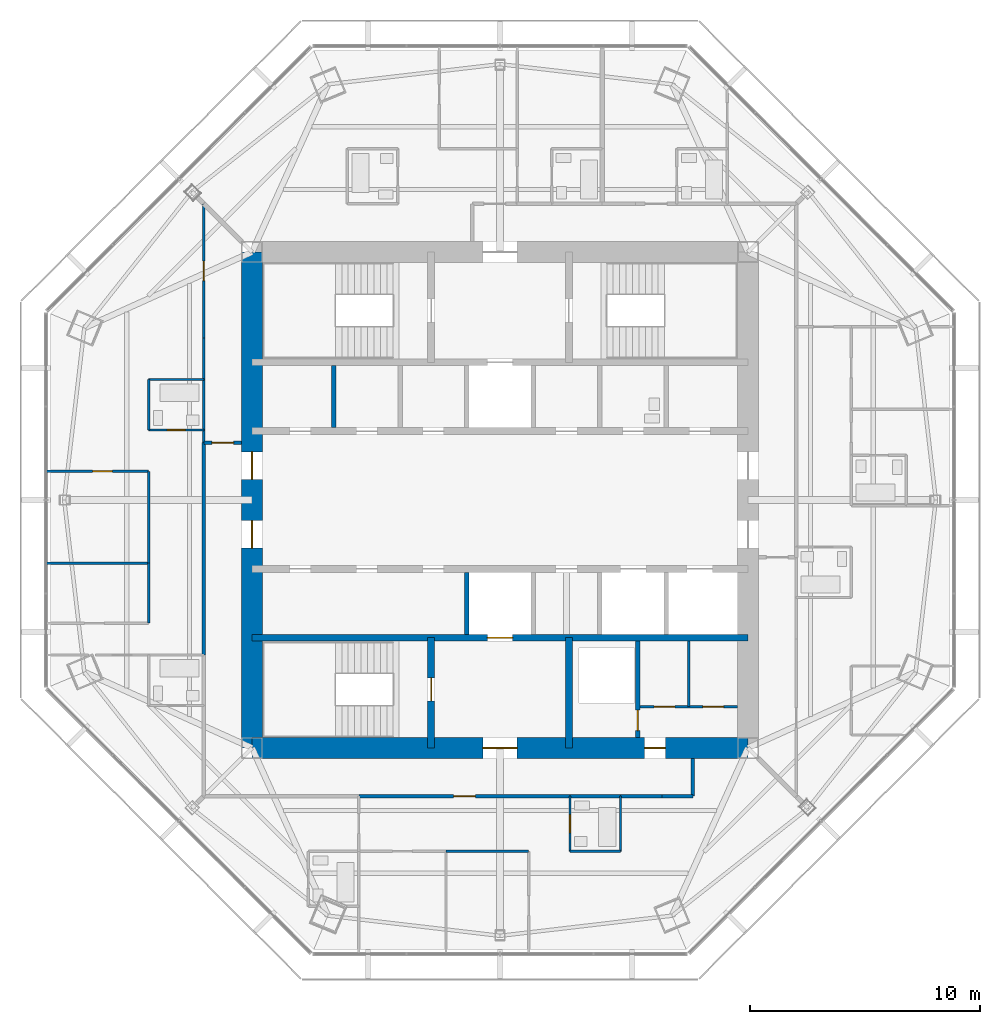
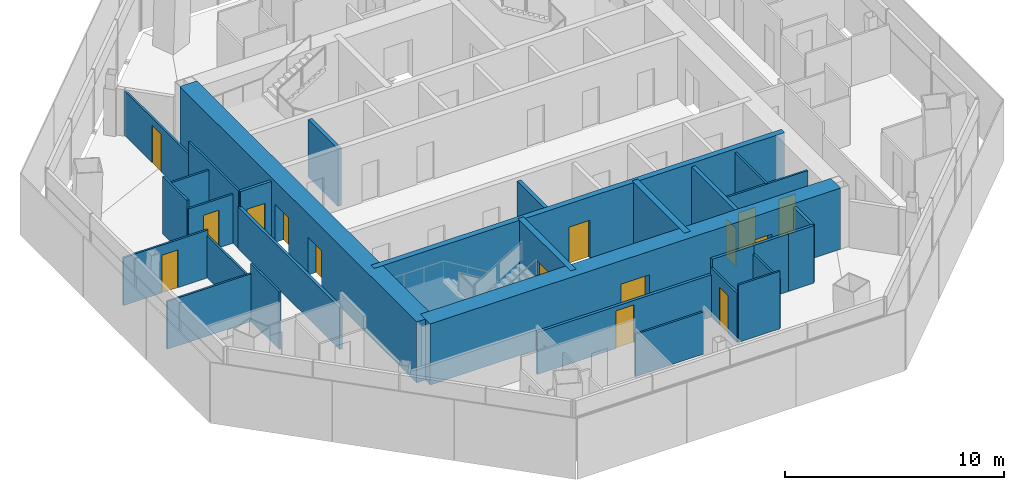
# One storey, part 9 of 15: 30 walls, 15 doors, 15 openings.
"""IFC4 building model written with IfcOpenShell, lengths in metres."""

from ifc_helpers import new_model, si_unit, direction, frame, frame_2d, origin, place, context, subcontext, project, spatial, rectangle, extrude, material, layer, layer_set, type_object, element, fill, save


model = new_model("IFC4")

# Units and contexts
model_context = context("Model", 3, precision=1e-05, world=origin(), true_north=direction((0.0, 1.0)))
body_context = subcontext(model_context, "Body", "Model", "MODEL_VIEW")
ifc_project = project(units=[si_unit("LENGTHUNIT", "METRE"), si_unit("AREAUNIT", "SQUARE_METRE"), si_unit("VOLUMEUNIT", "CUBIC_METRE"), si_unit("PLANEANGLEUNIT", "RADIAN"), si_unit("MASSUNIT", "GRAM", prefix="KILO")], contexts=[model_context])

# Site, building, storey
site_placement = place(None, origin())
site = spatial("IfcSite", under=ifc_project, at=site_placement, CompositionType="ELEMENT")
building_placement = place(site_placement, origin())
building = spatial("IfcBuilding", under=site, at=building_placement, Name="Mashrafa Tower", CompositionType="ELEMENT")
storey_placement = place(building_placement, frame((0.0, 0.0, 291.199951171875)))
storey = spatial("IfcBuildingStorey", under=building, at=storey_placement, Name="L71", CompositionType="ELEMENT", Elevation=291.199951171875)

# Wall, opening, door
ifc_material_1 = material(Name="Concrete masonry unit", Category="masonry")
ifc_layer_1 = layer(ifc_material_1, 0.199951171875)
ifc_layer_set_1 = layer_set([ifc_layer_1], Name="Blockwork wall 200 2 hr")
wall_type_1 = type_object("IfcWallType", Name="Blockwork wall 200 2 hr", PredefinedType="PARTITIONING", material=ifc_layer_set_1)
wall_1_placement = place(storey_placement, frame((6.0, -10.35009765625, 0.0), z_axis=(0.0, 0.0, 1.0), x_axis=(0.0, 1.0, 0.0)))
wall_1 = element("IfcWall", 1, at=wall_1_placement, inside=storey, type_object=wall_type_1, Name="Riser enclosure wall L71", PredefinedType="PARTITIONING", context=body_context, shape_type="SweptSolid", body=[
    extrude(rectangle(XDim=4.2001953125, YDim=0.199951171875, at=frame_2d((2.10009765625, 0.0))), origin(), (0.0, 0.0, 1.0), 3.199951171875),
])
opening_1_placement = place(wall_1_placement, frame((0.300048828125, 0.0, 0.0)))
opening_1 = element("IfcOpeningElement", 2, at=opening_1_placement, cuts=wall_1, Name="Opening 71.040", PredefinedType="OPENING", context=body_context, shape_type="SweptSolid", body=[
    extrude(rectangle(XDim=0.89990234375, YDim=2.10009765625, at=frame_2d((0.449951171875, 1.050048828125))), frame((0.0, 0.10986328125, 0.0), z_axis=(0.0, -1.0, 0.0), x_axis=(1.0, 0.0, 0.0)), (0.0, 0.0, 1.0), 0.219970703125),
])
ifc_material_2 = material(Name="Steel door", Category="steel")
door_type_1 = type_object("IfcDoorType", Name="Service door 900 x 2100 90 min", OperationType="USERDEFINED", PredefinedType="DOOR", material=ifc_material_2)
door_1_placement = place(opening_1_placement, origin())
door_1 = element("IfcDoor", 3, at=door_1_placement, inside=storey, type_object=door_type_1, Name="Riser door L71", OperationType="SINGLE_SWING_LEFT", OverallHeight=2.10009765625, OverallWidth=0.89990234375, PredefinedType="DOOR", context=body_context, shape_type="SweptSolid", body=[
    extrude(rectangle(XDim=0.89990234375, YDim=2.10009765625, at=frame_2d((0.449951171875, 1.050048828125))), frame((0.0, 0.02490234375, 0.0), z_axis=(0.0, -1.0, 0.0), x_axis=(1.0, 0.0, 0.0)), (0.0, 0.0, 1.0), 0.050048828125),
])
fill(opening_1, door_1)

ifc_material_3 = material(Name="Concrete C50/60", Category="concrete")
ifc_layer_2 = layer(ifc_material_3, 0.300048828125)
ifc_layer_set_2 = layer_set([ifc_layer_2], Name="Core wall 300 C50/60")
wall_type_2 = type_object("IfcWallType", Name="Core wall 300 C50/60", PredefinedType="SOLIDWALL", material=ifc_layer_set_2)
wall_2_placement = place(storey_placement, frame((-10.800048828125, -6.0, 0.0), z_axis=(0.0, 0.0, 1.0), x_axis=(1.0, 0.0, 0.0)))
wall_2 = element("IfcWall", 4, at=wall_2_placement, inside=storey, type_object=wall_type_2, Name="Core wall CB-S L71", PredefinedType="SOLIDWALL", context=body_context, shape_type="SweptSolid", body=[
    extrude(rectangle(XDim=21.60009765625, YDim=0.300048828125, at=frame_2d((10.800048828125, 0.0))), origin(), (0.0, 0.0, 1.0), 3.400146484375),
])
opening_2_placement = place(wall_2_placement, frame((10.25, 0.0, 0.0)))
opening_2 = element("IfcOpeningElement", 5, at=opening_2_placement, cuts=wall_2, Name="Opening 71.F2", PredefinedType="OPENING", context=body_context, shape_type="SweptSolid", body=[
    extrude(rectangle(XDim=1.10009765625, YDim=2.10009765625, at=frame_2d((0.550048828125, 1.050048828125))), frame((0.0, 0.159912109375, 0.0), z_axis=(0.0, -1.0, 0.0), x_axis=(1.0, 0.0, 0.0)), (0.0, 0.0, 1.0), 0.320068359375),
])
ifc_material_4 = material(Name="Steel door", Category="steel")
door_type_2 = type_object("IfcDoorType", Name="Lift landing door 1100 x 2100 90 min", OperationType="DOUBLE_DOOR_SLIDING", PredefinedType="DOOR", material=ifc_material_4)
door_2_placement = place(opening_2_placement, origin())
door_2 = element("IfcDoor", 6, at=door_2_placement, inside=storey, type_object=door_type_2, Name="Lift landing door F2 L71", OperationType="DOUBLE_DOOR_SLIDING", OverallHeight=2.10009765625, OverallWidth=1.10009765625, PredefinedType="DOOR", context=body_context, shape_type="SweptSolid", body=[
    extrude(rectangle(XDim=1.10009765625, YDim=2.10009765625, at=frame_2d((0.550048828125, 1.050048828125))), frame((0.0, 0.02490234375, 0.0), z_axis=(0.0, -1.0, 0.0), x_axis=(1.0, 0.0, 0.0)), (0.0, 0.0, 1.0), 0.050048828125),
])
fill(opening_2, door_2)

wall_3_placement = place(storey_placement, frame((-3.0, -6.0, 0.0), z_axis=(0.0, 0.0, 1.0), x_axis=(0.0, -1.0, 0.0)))
wall_3 = element("IfcWall", 7, at=wall_3_placement, inside=storey, type_object=wall_type_2, Name="Core wall CX-SW L71", PredefinedType="SOLIDWALL", context=body_context, shape_type="SweptSolid", body=[
    extrude(rectangle(XDim=4.800048828125, YDim=0.300048828125, at=frame_2d((2.39990234375, 0.0))), origin(), (0.0, 0.0, 1.0), 3.400146484375),
])
opening_3_placement = place(wall_3_placement, frame((1.75, 0.0, 0.0)))
opening_3 = element("IfcOpeningElement", 8, at=opening_3_placement, cuts=wall_3, Name="Opening 71.038", PredefinedType="OPENING", context=body_context, shape_type="SweptSolid", body=[
    extrude(rectangle(XDim=1.0, YDim=2.10009765625, at=frame_2d((0.5, 1.050048828125))), frame((0.0, 0.159912109375, 0.0), z_axis=(0.0, -1.0, 0.0), x_axis=(1.0, 0.0, 0.0)), (0.0, 0.0, 1.0), 0.320068359375),
])
ifc_material_5 = material(Name="Steel door", Category="steel")
door_type_3 = type_object("IfcDoorType", Name="Stair door 1000 x 2100 90 min", OperationType="USERDEFINED", PredefinedType="DOOR", material=ifc_material_5)
door_3_placement = place(opening_3_placement, frame((1.0, 0.0, 0.0), z_axis=(0.0, 0.0, 1.0), x_axis=(-1.0, 0.0, 0.0)))
door_3 = element("IfcDoor", 9, at=door_3_placement, inside=storey, type_object=door_type_3, Name="Stair S3 door L71", OperationType="SINGLE_SWING_RIGHT", OverallHeight=2.10009765625, OverallWidth=1.0, PredefinedType="DOOR", context=body_context, shape_type="SweptSolid", body=[
    extrude(rectangle(XDim=1.0, YDim=2.10009765625, at=frame_2d((0.5, 1.050048828125))), frame((0.0, 0.02490234375, 0.0), z_axis=(0.0, -1.0, 0.0), x_axis=(1.0, 0.0, 0.0)), (0.0, 0.0, 1.0), 0.050048828125),
])
fill(opening_3, door_3)

# Wall
wall_4_placement = place(storey_placement, frame((3.0, -6.0, 0.0), z_axis=(0.0, 0.0, 1.0), x_axis=(0.0, -1.0, 0.0)))
element("IfcWall", 10, at=wall_4_placement, inside=storey, type_object=wall_type_2, Name="Core wall CX-SE L71", PredefinedType="SOLIDWALL", context=body_context, shape_type="SweptSolid", body=[
    extrude(rectangle(XDim=4.800048828125, YDim=0.300048828125, at=frame_2d((2.39990234375, 0.0))), origin(), (0.0, 0.0, 1.0), 3.400146484375),
])

# Wall, openings, doors
ifc_material_6 = material(Name="Concrete C50/60", Category="concrete")
ifc_layer_3 = layer(ifc_material_6, 0.89990234375)
ifc_layer_set_3 = layer_set([ifc_layer_3], Name="Core wall 900 C50/60")
wall_type_3 = type_object("IfcWallType", Name="Core wall 900 C50/60", PredefinedType="SOLIDWALL", material=ifc_layer_set_3)
wall_5_placement = place(storey_placement, frame((-10.800048828125, -10.800048828125, 0.0), z_axis=(0.0, 0.0, 1.0), x_axis=(1.0, 0.0, 0.0)))
wall_5 = element("IfcWall", 11, at=wall_5_placement, inside=storey, type_object=wall_type_3, Name="Core wall CW-S L71", PredefinedType="SOLIDWALL", context=body_context, shape_type="SweptSolid", body=[
    extrude(rectangle(XDim=21.60009765625, YDim=0.89990234375, at=frame_2d((10.800048828125, 0.0))), origin(), (0.0, 0.0, 1.0), 3.400146484375),
])
opening_4_placement = place(wall_5_placement, frame((10.050048828125, 0.0, 0.0)))
opening_4 = element("IfcOpeningElement", 12, at=opening_4_placement, cuts=wall_5, Name="Opening 71.035", PredefinedType="OPENING", context=body_context, shape_type="SweptSolid", body=[
    extrude(rectangle(XDim=1.5, YDim=2.10009765625, at=frame_2d((0.75, 1.050048828125))), frame((0.0, 0.4599609375, 0.0), z_axis=(0.0, -1.0, 0.0), x_axis=(1.0, 0.0, 0.0)), (0.0, 0.0, 1.0), 0.919921875),
])
opening_5_placement = place(wall_5_placement, frame((17.10009765625, 0.0, 0.0)))
opening_5 = element("IfcOpeningElement", 13, at=opening_5_placement, cuts=wall_5, Name="Opening 71.039", PredefinedType="OPENING", context=body_context, shape_type="SweptSolid", body=[
    extrude(rectangle(XDim=0.89990234375, YDim=2.10009765625, at=frame_2d((0.449951171875, 1.050048828125))), frame((0.0, 0.4599609375, 0.0), z_axis=(0.0, -1.0, 0.0), x_axis=(1.0, 0.0, 0.0)), (0.0, 0.0, 1.0), 0.919921875),
])
ifc_material_7 = material(Name="Steel door", Category="steel")
door_type_4 = type_object("IfcDoorType", Name="Lobby door pair 1500 x 2100 90 min", OperationType="DOUBLE_DOOR_SINGLE_SWING", PredefinedType="DOOR", material=ifc_material_7)
door_4_placement = place(opening_4_placement, origin())
door_4 = element("IfcDoor", 14, at=door_4_placement, inside=storey, type_object=door_type_4, Name="Fire-fighting lobby F2 door L71", OperationType="DOUBLE_DOOR_SINGLE_SWING", OverallHeight=2.10009765625, OverallWidth=1.5, PredefinedType="DOOR", context=body_context, shape_type="SweptSolid", body=[
    extrude(rectangle(XDim=1.5, YDim=2.10009765625, at=frame_2d((0.75, 1.050048828125))), frame((0.0, 0.02490234375, 0.0), z_axis=(0.0, -1.0, 0.0), x_axis=(1.0, 0.0, 0.0)), (0.0, 0.0, 1.0), 0.050048828125),
])
fill(opening_4, door_4)
door_5_placement = place(opening_5_placement, frame((0.89990234375, 0.0, 0.0), z_axis=(0.0, 0.0, 1.0), x_axis=(-1.0, 0.0, 0.0)))
door_5 = element("IfcDoor", 15, at=door_5_placement, inside=storey, type_object=door_type_1, Name="Services Lobby L71 door", OperationType="SINGLE_SWING_LEFT", OverallHeight=2.10009765625, OverallWidth=0.89990234375, PredefinedType="DOOR", context=body_context, shape_type="SweptSolid", body=[
    extrude(rectangle(XDim=0.89990234375, YDim=2.10009765625, at=frame_2d((0.449951171875, 1.050048828125))), frame((0.0, 0.02490234375, 0.0), z_axis=(0.0, -1.0, 0.0), x_axis=(1.0, 0.0, 0.0)), (0.0, 0.0, 1.0), 0.050048828125),
])
fill(opening_5, door_5)

wall_6_placement = place(storey_placement, frame((-10.800048828125, 10.800048828125, 0.0), z_axis=(0.0, 0.0, 1.0), x_axis=(0.0, -1.0, 0.0)))
wall_6 = element("IfcWall", 16, at=wall_6_placement, inside=storey, type_object=wall_type_3, Name="Core wall CW-W L71", PredefinedType="SOLIDWALL", context=body_context, shape_type="SweptSolid", body=[
    extrude(rectangle(XDim=21.60009765625, YDim=0.89990234375, at=frame_2d((10.800048828125, 0.0))), origin(), (0.0, 0.0, 1.0), 3.400146484375),
])
opening_6_placement = place(wall_6_placement, frame((8.699951171875, 0.0, 0.0)))
opening_6 = element("IfcOpeningElement", 17, at=opening_6_placement, cuts=wall_6, Name="Opening 71.031", PredefinedType="OPENING", context=body_context, shape_type="SweptSolid", body=[
    extrude(rectangle(XDim=1.199951171875, YDim=2.10009765625, at=frame_2d((0.60009765625, 1.050048828125))), frame((0.0, 0.4599609375, 0.0), z_axis=(0.0, -1.0, 0.0), x_axis=(1.0, 0.0, 0.0)), (0.0, 0.0, 1.0), 0.919921875),
])
opening_7_placement = place(wall_6_placement, frame((11.699951171875, 0.0, 0.0)))
opening_7 = element("IfcOpeningElement", 18, at=opening_7_placement, cuts=wall_6, Name="Opening 71.033", PredefinedType="OPENING", context=body_context, shape_type="SweptSolid", body=[
    extrude(rectangle(XDim=1.199951171875, YDim=2.10009765625, at=frame_2d((0.60009765625, 1.050048828125))), frame((0.0, 0.4599609375, 0.0), z_axis=(0.0, -1.0, 0.0), x_axis=(1.0, 0.0, 0.0)), (0.0, 0.0, 1.0), 0.919921875),
])
ifc_material_8 = material(Name="Steel door", Category="steel")
door_type_5 = type_object("IfcDoorType", Name="Lift hall door 1200 x 2100 90 min", OperationType="USERDEFINED", PredefinedType="DOOR", material=ifc_material_8)
door_6_placement = place(opening_6_placement, origin())
door_6 = element("IfcDoor", 19, at=door_6_placement, inside=storey, type_object=door_type_5, Name="Lift hall door west L71", OperationType="SINGLE_SWING_LEFT", OverallHeight=2.10009765625, OverallWidth=1.199951171875, PredefinedType="DOOR", context=body_context, shape_type="SweptSolid", body=[
    extrude(rectangle(XDim=1.199951171875, YDim=2.10009765625, at=frame_2d((0.60009765625, 1.050048828125))), frame((0.0, 0.02490234375, 0.0), z_axis=(0.0, -1.0, 0.0), x_axis=(1.0, 0.0, 0.0)), (0.0, 0.0, 1.0), 0.050048828125),
])
fill(opening_6, door_6)
door_7_placement = place(opening_7_placement, frame((1.199951171875, 0.0, 0.0), z_axis=(0.0, 0.0, 1.0), x_axis=(-1.0, 0.0, 0.0)))
door_7 = element("IfcDoor", 20, at=door_7_placement, inside=storey, type_object=door_type_5, Name="Lift hall door west L71", OperationType="SINGLE_SWING_RIGHT", OverallHeight=2.10009765625, OverallWidth=1.199951171875, PredefinedType="DOOR", context=body_context, shape_type="SweptSolid", body=[
    extrude(rectangle(XDim=1.199951171875, YDim=2.10009765625, at=frame_2d((0.60009765625, 1.050048828125))), frame((0.0, 0.02490234375, 0.0), z_axis=(0.0, -1.0, 0.0), x_axis=(1.0, 0.0, 0.0)), (0.0, 0.0, 1.0), 0.050048828125),
])
fill(opening_7, door_7)

# Walls
ifc_material_9 = material(Name="Gypsum board on steel studs", Category="steel")
ifc_layer_4 = layer(ifc_material_9, 0.14990234375)
ifc_layer_set_4 = layer_set([ifc_layer_4], Name="Corridor partition 150 1 hr")
wall_type_4 = type_object("IfcWallType", Name="Corridor partition 150 1 hr", PredefinedType="PARTITIONING", material=ifc_layer_set_4)
wall_7_placement = place(storey_placement, frame((-12.89990234375, 2.5, 0.0), z_axis=(0.0, 0.0, 1.0), x_axis=(0.0, -1.0, 0.0)))
element("IfcWall", 21, at=wall_7_placement, inside=storey, type_object=wall_type_4, Name="Corridor wall L71-015", PredefinedType="PARTITIONING", context=body_context, shape_type="SweptSolid", body=[
    extrude(rectangle(XDim=9.2509765625, YDim=0.14990234375, at=frame_2d((4.62548828125, 0.0))), origin(), (0.0, 0.0, 1.0), 2.349365234375),
])
wall_8_placement = place(storey_placement, frame((5.2490234375, -12.89990234375, 0.0), z_axis=(0.0, 0.0, 1.0), x_axis=(1.0, 0.0, 0.0)))
element("IfcWall", 22, at=wall_8_placement, inside=storey, type_object=wall_type_4, Name="Corridor wall L71-016", PredefinedType="PARTITIONING", context=body_context, shape_type="SweptSolid", body=[
    extrude(rectangle(XDim=1.802001953125, YDim=0.14990234375, at=frame_2d((0.90087890625, 0.0))), origin(), (0.0, 0.0, 1.0), 3.199951171875),
])
wall_9_placement = place(storey_placement, frame((3.049072265625, -12.89990234375, 0.0), z_axis=(0.0, 0.0, 1.0), x_axis=(1.0, 0.0, 0.0)))
element("IfcWall", 23, at=wall_9_placement, inside=storey, type_object=wall_type_4, Name="Corridor wall L71-017", PredefinedType="PARTITIONING", context=body_context, shape_type="SweptSolid", body=[
    extrude(rectangle(XDim=2.201904296875, YDim=0.14990234375, at=frame_2d((1.10107421875, 0.0))), origin(), (0.0, 0.0, 1.0), 3.199951171875),
])

# Wall, opening, door
wall_10_placement = place(storey_placement, frame((-6.15087890625, -12.89990234375, 0.0), z_axis=(0.0, 0.0, 1.0), x_axis=(1.0, 0.0, 0.0)))
wall_10 = element("IfcWall", 24, at=wall_10_placement, inside=storey, type_object=wall_type_4, Name="Corridor wall L71-019", PredefinedType="PARTITIONING", context=body_context, shape_type="SweptSolid", body=[
    extrude(rectangle(XDim=9.201904296875, YDim=0.14990234375, at=frame_2d((4.60107421875, 0.0))), origin(), (0.0, 0.0, 1.0), 2.349365234375),
])
opening_8_placement = place(wall_10_placement, frame((4.1259765625, 0.0, 0.0)))
opening_8 = element("IfcOpeningElement", 25, at=opening_8_placement, cuts=wall_10, Name="Opening 71.027", PredefinedType="OPENING", context=body_context, shape_type="SweptSolid", body=[
    extrude(rectangle(XDim=0.949951171875, YDim=2.10009765625, at=frame_2d((0.47509765625, 1.050048828125))), frame((0.0, 0.0849609375, 0.0), z_axis=(0.0, -1.0, 0.0), x_axis=(1.0, 0.0, 0.0)), (0.0, 0.0, 1.0), 0.169921875),
])
ifc_material_10 = material(Name="Steel door", Category="steel")
door_type_6 = type_object("IfcDoorType", Name="Residence entrance door 950 x 2100 20 min", OperationType="USERDEFINED", PredefinedType="DOOR", material=ifc_material_10)
door_8_placement = place(opening_8_placement, frame((0.949951171875, 0.0, 0.0), z_axis=(0.0, 0.0, 1.0), x_axis=(-1.0, 0.0, 0.0)))
door_8 = element("IfcDoor", 26, at=door_8_placement, inside=storey, type_object=door_type_6, Name="Apartment 7105 Living Room door", OperationType="SINGLE_SWING_RIGHT", OverallHeight=2.10009765625, OverallWidth=0.949951171875, PredefinedType="DOOR", context=body_context, shape_type="SweptSolid", body=[
    extrude(rectangle(XDim=0.949951171875, YDim=2.10009765625, at=frame_2d((0.47509765625, 1.050048828125))), frame((0.0, 0.02490234375, 0.0), z_axis=(0.0, -1.0, 0.0), x_axis=(1.0, 0.0, 0.0)), (0.0, 0.0, 1.0), 0.050048828125),
])
fill(opening_8, door_8)

# Walls
wall_11_placement = place(storey_placement, frame((7.049072265625, -12.89990234375, 0.0), z_axis=(0.0, 0.0, 1.0), x_axis=(1.0, 0.0, 0.0)))
element("IfcWall", 27, at=wall_11_placement, inside=storey, type_object=wall_type_4, Name="Corridor wall L71-020", PredefinedType="PARTITIONING", context=body_context, shape_type="SweptSolid", body=[
    extrude(rectangle(XDim=1.350830078125, YDim=0.14990234375, at=frame_2d((0.67529296875, 0.0))), origin(), (0.0, 0.0, 1.0), 3.199951171875),
])
wall_12_placement = place(storey_placement, frame((8.39990234375, -12.89990234375, 0.0), z_axis=(0.0, 0.0, 1.0), x_axis=(0.0, 1.0, 0.0)))
element("IfcWall", 28, at=wall_12_placement, inside=storey, type_object=wall_type_4, Name="Corridor wall L71-021", PredefinedType="PARTITIONING", context=body_context, shape_type="SweptSolid", body=[
    extrude(rectangle(XDim=1.64990234375, YDim=0.14990234375, at=frame_2d((0.824951171875, 0.0))), origin(), (0.0, 0.0, 1.0), 3.199951171875),
])

# Wall, opening, door
wall_13_placement = place(storey_placement, frame((-11.25, 2.5, 0.0), z_axis=(0.0, 0.0, 1.0), x_axis=(-1.0, 0.0, 0.0)))
wall_13 = element("IfcWall", 29, at=wall_13_placement, inside=storey, type_object=wall_type_4, Name="Corridor wall L71-022", PredefinedType="PARTITIONING", context=body_context, shape_type="SweptSolid", body=[
    extrude(rectangle(XDim=1.64990234375, YDim=0.14990234375, at=frame_2d((0.824951171875, 0.0))), origin(), (0.0, 0.0, 1.0), 3.199951171875),
])
opening_9_placement = place(wall_13_placement, frame((0.35009765625, 0.0, 0.0)))
opening_9 = element("IfcOpeningElement", 30, at=opening_9_placement, cuts=wall_13, Name="Opening 71.029", PredefinedType="OPENING", context=body_context, shape_type="SweptSolid", body=[
    extrude(rectangle(XDim=0.949951171875, YDim=2.10009765625, at=frame_2d((0.47509765625, 1.050048828125))), frame((0.0, 0.0849609375, 0.0), z_axis=(0.0, -1.0, 0.0), x_axis=(1.0, 0.0, 0.0)), (0.0, 0.0, 1.0), 0.169921875),
])
door_9_placement = place(opening_9_placement, origin())
door_9 = element("IfcDoor", 31, at=door_9_placement, inside=storey, type_object=door_type_6, Name="Apartment 7104 Entrance Hall door", OperationType="SINGLE_SWING_RIGHT", OverallHeight=2.10009765625, OverallWidth=0.949951171875, PredefinedType="DOOR", context=body_context, shape_type="SweptSolid", body=[
    extrude(rectangle(XDim=0.949951171875, YDim=2.10009765625, at=frame_2d((0.47509765625, 1.050048828125))), frame((0.0, 0.02490234375, 0.0), z_axis=(0.0, -1.0, 0.0), x_axis=(1.0, 0.0, 0.0)), (0.0, 0.0, 1.0), 0.050048828125),
])
fill(opening_9, door_9)

# Walls
ifc_material_11 = material(Name="Gypsum board on steel studs", Category="steel")
ifc_layer_5 = layer(ifc_material_11, 0.10009765625)
ifc_layer_set_5 = layer_set([ifc_layer_5], Name="Partition 100")
wall_type_5 = type_object("IfcWallType", Name="Partition 100", PredefinedType="PARTITIONING", material=ifc_layer_set_5)
wall_14_placement = place(storey_placement, frame((-15.300048828125, -2.75, 0.0), z_axis=(0.0, 0.0, 1.0), x_axis=(-1.0, 0.0, 0.0)))
element("IfcWall", 32, at=wall_14_placement, inside=storey, type_object=wall_type_5, Name="Partition wall L71-027", PredefinedType="PARTITIONING", context=body_context, shape_type="SweptSolid", body=[
    extrude(rectangle(XDim=4.458984375, YDim=0.10009765625, at=frame_2d((2.2294921875, 0.0))), origin(), (0.0, 0.0, 1.0), 2.661865234375),
])
wall_15_placement = place(storey_placement, frame((-15.300048828125, -5.367431640625, 0.0), z_axis=(0.0, 0.0, 1.0), x_axis=(0.0, 1.0, 0.0)))
element("IfcWall", 33, at=wall_15_placement, inside=storey, type_object=wall_type_5, Name="Partition wall L71-029", PredefinedType="PARTITIONING", context=body_context, shape_type="SweptSolid", body=[
    extrude(rectangle(XDim=2.617431640625, YDim=0.10009765625, at=frame_2d((1.30859375, 0.0))), origin(), (0.0, 0.0, 1.0), 3.199951171875),
])
wall_16_placement = place(storey_placement, frame((-15.300048828125, 5.25, 0.0), z_axis=(0.0, 0.0, 1.0), x_axis=(1.0, 0.0, 0.0)))
element("IfcWall", 34, at=wall_16_placement, inside=storey, type_object=wall_type_5, Name="Partition wall L71-067", PredefinedType="PARTITIONING", context=body_context, shape_type="SweptSolid", body=[
    extrude(rectangle(XDim=2.400146484375, YDim=0.10009765625, at=frame_2d((1.2001953125, 0.0))), origin(), (0.0, 0.0, 1.0), 2.73046875),
])
wall_17_placement = place(storey_placement, frame((-12.89990234375, 7.050048828125, 0.0), z_axis=(0.0, 0.0, 1.0), x_axis=(0.0, -1.0, 0.0)))
element("IfcWall", 35, at=wall_17_placement, inside=storey, type_object=wall_type_5, Name="Partition wall L71-068", PredefinedType="PARTITIONING", context=body_context, shape_type="SweptSolid", body=[
    extrude(rectangle(XDim=4.551025390625, YDim=0.10009765625, at=frame_2d((2.275390625, 0.0))), origin(), (0.0, 0.0, 1.0), 3.199951171875),
])
wall_18_placement = place(storey_placement, frame((-15.300048828125, 5.25, 0.0), z_axis=(0.0, 0.0, 1.0), x_axis=(0.0, -1.0, 0.0)))
element("IfcWall", 36, at=wall_18_placement, inside=storey, type_object=wall_type_5, Name="Partition wall L71-069", PredefinedType="PARTITIONING", context=body_context, shape_type="SweptSolid", body=[
    extrude(rectangle(XDim=2.199951171875, YDim=0.10009765625, at=frame_2d((1.10009765625, 0.0))), origin(), (0.0, 0.0, 1.0), 3.199951171875),
])

# Wall, opening, door
wall_19_placement = place(storey_placement, frame((-15.300048828125, 3.050048828125, 0.0), z_axis=(0.0, 0.0, 1.0), x_axis=(1.0, 0.0, 0.0)))
wall_19 = element("IfcWall", 37, at=wall_19_placement, inside=storey, type_object=wall_type_5, Name="Partition wall L71-070", PredefinedType="PARTITIONING", context=body_context, shape_type="SweptSolid", body=[
    extrude(rectangle(XDim=2.400146484375, YDim=0.10009765625, at=frame_2d((1.2001953125, 0.0))), origin(), (0.0, 0.0, 1.0), 2.73046875),
])
opening_10_placement = place(wall_19_placement, frame((0.800048828125, 0.0, 0.0)))
opening_10 = element("IfcOpeningElement", 38, at=opening_10_placement, cuts=wall_19, Name="Opening 71.017", PredefinedType="OPENING", context=body_context, shape_type="SweptSolid", body=[
    extrude(rectangle(XDim=0.800048828125, YDim=2.10009765625, at=frame_2d((0.39990234375, 1.050048828125))), frame((0.0, 0.06005859375, 0.0), z_axis=(0.0, -1.0, 0.0), x_axis=(1.0, 0.0, 0.0)), (0.0, 0.0, 1.0), 0.1201171875),
])
ifc_material_12 = material(Name="Timber door", Category="wood")
door_type_7 = type_object("IfcDoorType", Name="Bathroom door 800 x 2100", OperationType="USERDEFINED", PredefinedType="DOOR", material=ifc_material_12)
door_10_placement = place(opening_10_placement, origin())
door_10 = element("IfcDoor", 39, at=door_10_placement, inside=storey, type_object=door_type_7, Name="Apartment 7104 Bathroom door", OperationType="SINGLE_SWING_RIGHT", OverallHeight=2.10009765625, OverallWidth=0.800048828125, PredefinedType="DOOR", context=body_context, shape_type="SweptSolid", body=[
    extrude(rectangle(XDim=0.800048828125, YDim=2.10009765625, at=frame_2d((0.39990234375, 1.050048828125))), frame((0.0, 0.02490234375, 0.0), z_axis=(0.0, -1.0, 0.0), x_axis=(1.0, 0.0, 0.0)), (0.0, 0.0, 1.0), 0.050048828125),
])
fill(opening_10, door_10)

# Wall
wall_20_placement = place(storey_placement, frame((-15.300048828125, -2.75, 0.0), z_axis=(0.0, 0.0, 1.0), x_axis=(0.0, 1.0, 0.0)))
element("IfcWall", 40, at=wall_20_placement, inside=storey, type_object=wall_type_5, Name="Partition wall L71-072", PredefinedType="PARTITIONING", context=body_context, shape_type="SweptSolid", body=[
    extrude(rectangle(XDim=4.0, YDim=0.10009765625, at=frame_2d((2.0, 0.0))), origin(), (0.0, 0.0, 1.0), 2.349365234375),
])

# Wall, opening, door
wall_21_placement = place(storey_placement, frame((-15.300048828125, 1.25, 0.0), z_axis=(0.0, 0.0, 1.0), x_axis=(-1.0, 0.0, 0.0)))
wall_21 = element("IfcWall", 41, at=wall_21_placement, inside=storey, type_object=wall_type_5, Name="Partition wall L71-073", PredefinedType="PARTITIONING", context=body_context, shape_type="SweptSolid", body=[
    extrude(rectangle(XDim=4.4609375, YDim=0.10009765625, at=frame_2d((2.23046875, 0.0))), origin(), (0.0, 0.0, 1.0), 2.661865234375),
])
opening_11_placement = place(wall_21_placement, frame((1.58837890625, 0.0, 0.0)))
opening_11 = element("IfcOpeningElement", 42, at=opening_11_placement, cuts=wall_21, Name="Opening 71.018", PredefinedType="OPENING", context=body_context, shape_type="SweptSolid", body=[
    extrude(rectangle(XDim=0.85009765625, YDim=2.10009765625, at=frame_2d((0.425048828125, 1.050048828125))), frame((0.0, 0.06005859375, 0.0), z_axis=(0.0, -1.0, 0.0), x_axis=(1.0, 0.0, 0.0)), (0.0, 0.0, 1.0), 0.1201171875),
])
ifc_material_13 = material(Name="Timber door", Category="wood")
door_type_8 = type_object("IfcDoorType", Name="Bedroom door 850 x 2100", OperationType="USERDEFINED", PredefinedType="DOOR", material=ifc_material_13)
door_11_placement = place(opening_11_placement, origin())
door_11 = element("IfcDoor", 43, at=door_11_placement, inside=storey, type_object=door_type_8, Name="Apartment 7104 Bedroom 1 door", OperationType="SINGLE_SWING_LEFT", OverallHeight=2.10009765625, OverallWidth=0.85009765625, PredefinedType="DOOR", context=body_context, shape_type="SweptSolid", body=[
    extrude(rectangle(XDim=0.85009765625, YDim=2.10009765625, at=frame_2d((0.425048828125, 1.050048828125))), frame((0.0, 0.02490234375, 0.0), z_axis=(0.0, -1.0, 0.0), x_axis=(1.0, 0.0, 0.0)), (0.0, 0.0, 1.0), 0.050048828125),
])
fill(opening_11, door_11)

wall_22_placement = place(storey_placement, frame((-12.89990234375, 7.050048828125, 0.0), z_axis=(0.0, 0.0, 1.0), x_axis=(0.0, 1.0, 0.0)))
wall_22 = element("IfcWall", 44, at=wall_22_placement, inside=storey, type_object=wall_type_5, Name="Partition wall L71-081", PredefinedType="PARTITIONING", context=body_context, shape_type="SweptSolid", body=[
    extrude(rectangle(XDim=5.849853515625, YDim=0.10009765625, at=frame_2d((2.9248046875, 0.0))), origin(), (0.0, 0.0, 1.0), 2.49658203125),
])
opening_12_placement = place(wall_22_placement, frame((2.5, 0.0, 0.0)))
opening_12 = element("IfcOpeningElement", 45, at=opening_12_placement, cuts=wall_22, Name="Opening 71.021", PredefinedType="OPENING", context=body_context, shape_type="SweptSolid", body=[
    extrude(rectangle(XDim=0.85009765625, YDim=2.10009765625, at=frame_2d((0.425048828125, 1.050048828125))), frame((0.0, 0.06005859375, 0.0), z_axis=(0.0, -1.0, 0.0), x_axis=(1.0, 0.0, 0.0)), (0.0, 0.0, 1.0), 0.1201171875),
])
door_12_placement = place(opening_12_placement, origin())
door_12 = element("IfcDoor", 46, at=door_12_placement, inside=storey, type_object=door_type_8, Name="Apartment 7104 Living Room door", OperationType="SINGLE_SWING_RIGHT", OverallHeight=2.10009765625, OverallWidth=0.85009765625, PredefinedType="DOOR", context=body_context, shape_type="SweptSolid", body=[
    extrude(rectangle(XDim=0.85009765625, YDim=2.10009765625, at=frame_2d((0.425048828125, 1.050048828125))), frame((0.0, 0.02490234375, 0.0), z_axis=(0.0, -1.0, 0.0), x_axis=(1.0, 0.0, 0.0)), (0.0, 0.0, 1.0), 0.050048828125),
])
fill(opening_12, door_12)

# Wall
wall_23_placement = place(storey_placement, frame((5.25, -12.89990234375, 0.0), z_axis=(0.0, 0.0, 1.0), x_axis=(0.0, -1.0, 0.0)))
element("IfcWall", 47, at=wall_23_placement, inside=storey, type_object=wall_type_5, Name="Partition wall L71-082", PredefinedType="PARTITIONING", context=body_context, shape_type="SweptSolid", body=[
    extrude(rectangle(XDim=2.400146484375, YDim=0.10009765625, at=frame_2d((1.2001953125, 0.0))), origin(), (0.0, 0.0, 1.0), 2.73046875),
])

# Wall, opening, door
wall_24_placement = place(storey_placement, frame((3.050048828125, -12.89990234375, 0.0), z_axis=(0.0, 0.0, 1.0), x_axis=(0.0, -1.0, 0.0)))
wall_24 = element("IfcWall", 48, at=wall_24_placement, inside=storey, type_object=wall_type_5, Name="Partition wall L71-083", PredefinedType="PARTITIONING", context=body_context, shape_type="SweptSolid", body=[
    extrude(rectangle(XDim=2.400146484375, YDim=0.10009765625, at=frame_2d((1.2001953125, 0.0))), origin(), (0.0, 0.0, 1.0), 2.73046875),
])
opening_13_placement = place(wall_24_placement, frame((0.800048828125, 0.0, 0.0)))
opening_13 = element("IfcOpeningElement", 49, at=opening_13_placement, cuts=wall_24, Name="Opening 71.022", PredefinedType="OPENING", context=body_context, shape_type="SweptSolid", body=[
    extrude(rectangle(XDim=0.800048828125, YDim=2.10009765625, at=frame_2d((0.39990234375, 1.050048828125))), frame((0.0, 0.06005859375, 0.0), z_axis=(0.0, -1.0, 0.0), x_axis=(1.0, 0.0, 0.0)), (0.0, 0.0, 1.0), 0.1201171875),
])
door_13_placement = place(opening_13_placement, origin())
door_13 = element("IfcDoor", 50, at=door_13_placement, inside=storey, type_object=door_type_7, Name="Apartment 7105 Bathroom door", OperationType="SINGLE_SWING_LEFT", OverallHeight=2.10009765625, OverallWidth=0.800048828125, PredefinedType="DOOR", context=body_context, shape_type="SweptSolid", body=[
    extrude(rectangle(XDim=0.800048828125, YDim=2.10009765625, at=frame_2d((0.39990234375, 1.050048828125))), frame((0.0, 0.02490234375, 0.0), z_axis=(0.0, -1.0, 0.0), x_axis=(1.0, 0.0, 0.0)), (0.0, 0.0, 1.0), 0.050048828125),
])
fill(opening_13, door_13)

# Walls
wall_25_placement = place(storey_placement, frame((3.050048828125, -15.300048828125, 0.0), z_axis=(0.0, 0.0, 1.0), x_axis=(1.0, 0.0, 0.0)))
element("IfcWall", 51, at=wall_25_placement, inside=storey, type_object=wall_type_5, Name="Partition wall L71-084", PredefinedType="PARTITIONING", context=body_context, shape_type="SweptSolid", body=[
    extrude(rectangle(XDim=2.199951171875, YDim=0.10009765625, at=frame_2d((1.10009765625, 0.0))), origin(), (0.0, 0.0, 1.0), 3.199951171875),
])
wall_26_placement = place(storey_placement, frame((1.25, -15.300048828125, 0.0), z_axis=(0.0, 0.0, 1.0), x_axis=(-1.0, 0.0, 0.0)))
element("IfcWall", 52, at=wall_26_placement, inside=storey, type_object=wall_type_5, Name="Partition wall L71-087", PredefinedType="PARTITIONING", context=body_context, shape_type="SweptSolid", body=[
    extrude(rectangle(XDim=3.60009765625, YDim=0.10009765625, at=frame_2d((1.800048828125, 0.0))), origin(), (0.0, 0.0, 1.0), 2.349365234375),
])

# Wall, openings, doors
ifc_material_14 = material(Name="Gypsum board on steel studs", Category="steel")
ifc_layer_6 = layer(ifc_material_14, 0.10009765625)
ifc_layer_set_6 = layer_set([ifc_layer_6], Name="Partition 100 1 hr")
wall_type_6 = type_object("IfcWallType", Name="Partition 100 1 hr", PredefinedType="PARTITIONING", material=ifc_layer_set_6)
wall_27_placement = place(storey_placement, frame((6.10009765625, -9.0, 0.0), z_axis=(0.0, 0.0, 1.0), x_axis=(1.0, 0.0, 0.0)))
wall_27 = element("IfcWall", 53, at=wall_27_placement, inside=storey, type_object=wall_type_6, Name="Services lobby partition A L71", PredefinedType="PARTITIONING", context=body_context, shape_type="SweptSolid", body=[
    extrude(rectangle(XDim=4.25, YDim=0.10009765625, at=frame_2d((2.125, 0.0))), origin(), (0.0, 0.0, 1.0), 3.199951171875),
])
opening_14_placement = place(wall_27_placement, frame((0.612548828125, 0.0, 0.0)))
opening_14 = element("IfcOpeningElement", 54, at=opening_14_placement, cuts=wall_27, Name="Opening 71.041", PredefinedType="OPENING", context=body_context, shape_type="SweptSolid", body=[
    extrude(rectangle(XDim=0.89990234375, YDim=2.10009765625, at=frame_2d((0.449951171875, 1.050048828125))), frame((0.0, 0.06005859375, 0.0), z_axis=(0.0, -1.0, 0.0), x_axis=(1.0, 0.0, 0.0)), (0.0, 0.0, 1.0), 0.1201171875),
])
opening_15_placement = place(wall_27_placement, frame((2.737548828125, 0.0, 0.0)))
opening_15 = element("IfcOpeningElement", 55, at=opening_15_placement, cuts=wall_27, Name="Opening 71.042", PredefinedType="OPENING", context=body_context, shape_type="SweptSolid", body=[
    extrude(rectangle(XDim=0.89990234375, YDim=2.10009765625, at=frame_2d((0.449951171875, 1.050048828125))), frame((0.0, 0.06005859375, 0.0), z_axis=(0.0, -1.0, 0.0), x_axis=(1.0, 0.0, 0.0)), (0.0, 0.0, 1.0), 0.1201171875),
])
ifc_material_15 = material(Name="Timber door", Category="wood")
door_type_9 = type_object("IfcDoorType", Name="Store door 900 x 2100", OperationType="USERDEFINED", PredefinedType="DOOR", material=ifc_material_15)
door_14_placement = place(opening_14_placement, origin())
door_14 = element("IfcDoor", 56, at=door_14_placement, inside=storey, type_object=door_type_9, Name="Communications Room L71 door", OperationType="SINGLE_SWING_RIGHT", OverallHeight=2.10009765625, OverallWidth=0.89990234375, PredefinedType="DOOR", context=body_context, shape_type="SweptSolid", body=[
    extrude(rectangle(XDim=0.89990234375, YDim=2.10009765625, at=frame_2d((0.449951171875, 1.050048828125))), frame((0.0, 0.02490234375, 0.0), z_axis=(0.0, -1.0, 0.0), x_axis=(1.0, 0.0, 0.0)), (0.0, 0.0, 1.0), 0.050048828125),
])
fill(opening_14, door_14)
door_15_placement = place(opening_15_placement, origin())
door_15 = element("IfcDoor", 57, at=door_15_placement, inside=storey, type_object=door_type_9, Name="Building Services Store L71 door", OperationType="SINGLE_SWING_LEFT", OverallHeight=2.10009765625, OverallWidth=0.89990234375, PredefinedType="DOOR", context=body_context, shape_type="SweptSolid", body=[
    extrude(rectangle(XDim=0.89990234375, YDim=2.10009765625, at=frame_2d((0.449951171875, 1.050048828125))), frame((0.0, 0.02490234375, 0.0), z_axis=(0.0, -1.0, 0.0), x_axis=(1.0, 0.0, 0.0)), (0.0, 0.0, 1.0), 0.050048828125),
])
fill(opening_15, door_15)

# Walls
wall_28_placement = place(storey_placement, frame((8.22509765625, -9.0, 0.0), z_axis=(0.0, 0.0, 1.0), x_axis=(0.0, 1.0, 0.0)))
element("IfcWall", 58, at=wall_28_placement, inside=storey, type_object=wall_type_6, Name="Services lobby partition B L71", PredefinedType="PARTITIONING", context=body_context, shape_type="SweptSolid", body=[
    extrude(rectangle(XDim=2.85009765625, YDim=0.10009765625, at=frame_2d((1.425048828125, 0.0))), origin(), (0.0, 0.0, 1.0), 3.199951171875),
])
ifc_material_16 = material(Name="Gypsum shaft wall on steel studs", Category="steel")
ifc_layer_7 = layer(ifc_material_16, 0.199951171875)
ifc_layer_set_7 = layer_set([ifc_layer_7], Name="Shaft divider wall 200 2 hr")
wall_type_7 = type_object("IfcWallType", Name="Shaft divider wall 200 2 hr", PredefinedType="PARTITIONING", material=ifc_layer_set_7)
for number, where, z_axis, x_axis, name in (
    (59, (-7.25, 3.14990234375, 0.0), (0.0, 0.0, 1.0), (0.0, 1.0, 0.0), "Shaft divider wall N1 L71"),
    (60, (-1.449951171875, -5.85009765625, 0.0), (0.0, 0.0, 1.0), (0.0, 1.0, 0.0), "Shaft divider wall S3 L71"),
):
    element("IfcWall", number, at=place(storey_placement, frame(where, z_axis=z_axis, x_axis=x_axis)), inside=storey, type_object=wall_type_7, Name=name, PredefinedType="PARTITIONING", context=body_context, shape_type="SweptSolid", body=[
        extrude(rectangle(XDim=2.7001953125, YDim=0.199951171875, at=frame_2d((1.35009765625, 0.0))), origin(), (0.0, 0.0, 1.0), 3.199951171875),
    ])

save(model, "model.ifc")
